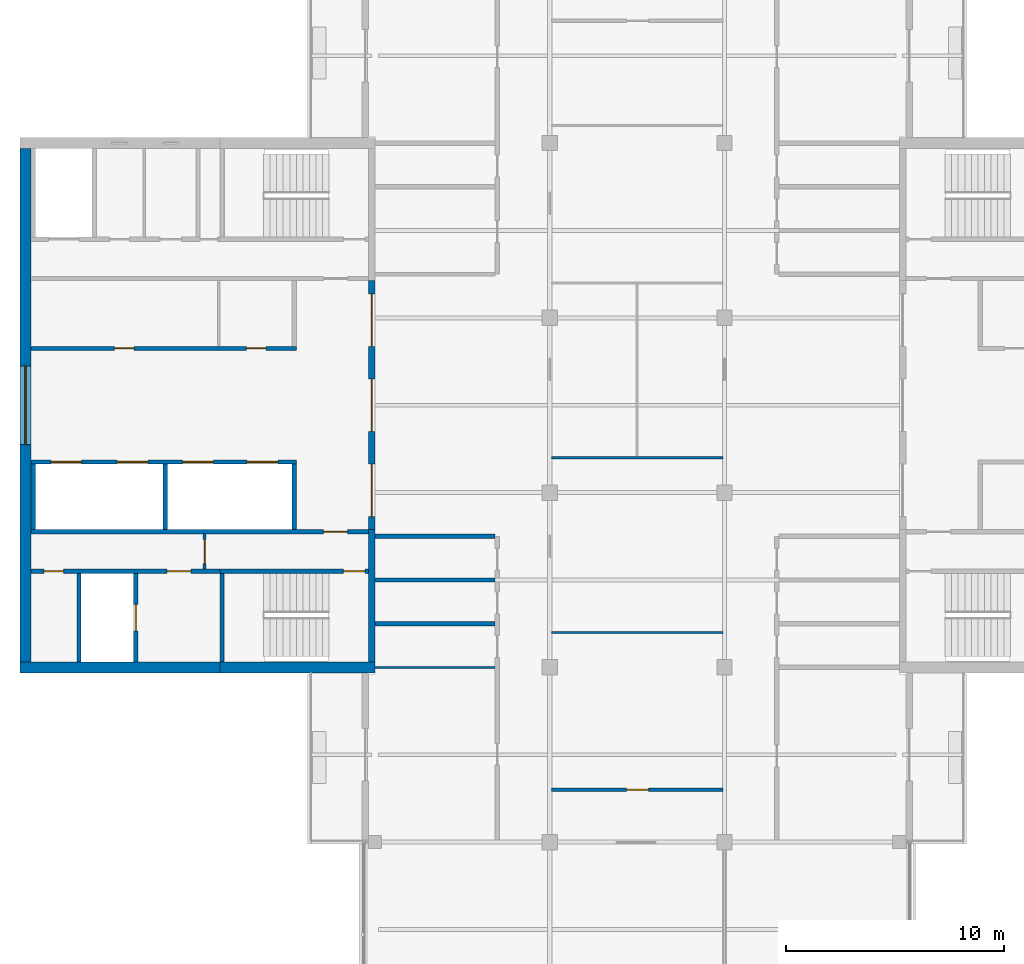
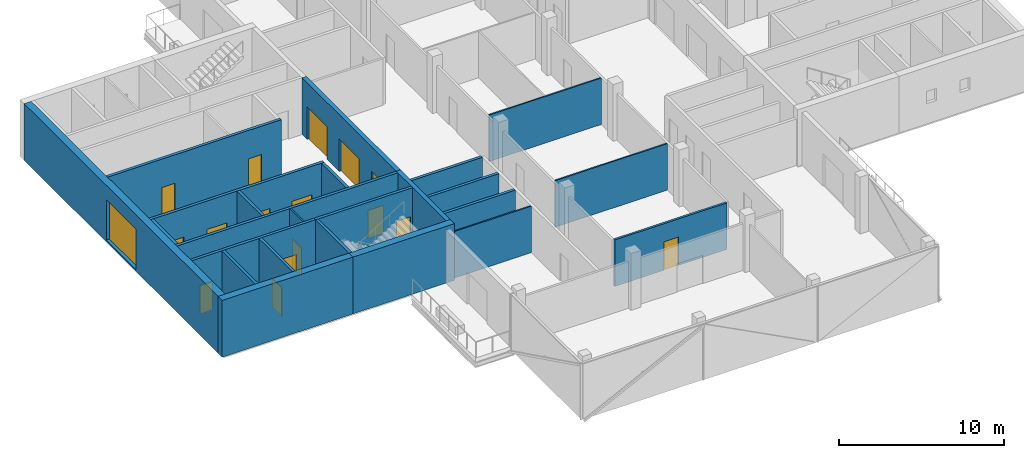
# One storey, part 5 of 12: 24 walls, 16 doors, 1 window, 17 openings.
"""IFC4 building model written with IfcOpenShell, lengths in metres."""

from ifc_helpers import new_model, si_unit, direction, frame, frame_2d, origin, place, context, subcontext, project, spatial, rectangle, extrude, material, layer, layer_set, constituent, constituent_set, type_object, element, fill, save


model = new_model("IFC4")

# Units and contexts
model_context = context("Model", 3, precision=1e-05, world=origin(), true_north=direction((0.0, 1.0)))
body_context = subcontext(model_context, "Body", "Model", "MODEL_VIEW")
ifc_project = project(units=[si_unit("LENGTHUNIT", "METRE"), si_unit("AREAUNIT", "SQUARE_METRE"), si_unit("VOLUMEUNIT", "CUBIC_METRE"), si_unit("PLANEANGLEUNIT", "RADIAN"), si_unit("MASSUNIT", "GRAM", prefix="KILO")], contexts=[model_context])

# Site, building, storey
site_placement = place(None, origin())
site = spatial("IfcSite", under=ifc_project, at=site_placement, CompositionType="ELEMENT")
building_placement = place(site_placement, origin())
building = spatial("IfcBuilding", under=site, at=building_placement, Name="Crosswind Convention Tower", CompositionType="ELEMENT")
storey_placement = place(building_placement, frame((0.0, 0.0, 245.10009765625)))
storey = spatial("IfcBuildingStorey", under=building, at=storey_placement, Name="L52", CompositionType="ELEMENT", Elevation=245.10009765625)

# Walls
ifc_material_1 = material(Name="Concrete blockwork", Category="masonry")
ifc_layer_1 = layer(ifc_material_1, 0.199951171875)
ifc_layer_set_1 = layer_set([ifc_layer_1], Name="COMPARTMENT WALL 200 BLOCKWORK")
wall_type_1 = type_object("IfcWallType", Name="COMPARTMENT WALL 200 BLOCKWORK", PredefinedType="SOLIDWALL", material=ifc_layer_set_1)
for number, where, z_axis, x_axis, name in (
    (1, (113.0, 90.0, 0.0), (0.0, 0.0, 1.0), (1.0, 0.0, 0.0), "Compartment wall WT42"),
    (2, (113.0, 92.0, 0.0), (0.0, 0.0, 1.0), (1.0, 0.0, 0.0), "Compartment wall WT42"),
    (3, (113.0, 94.0, 0.0), (0.0, 0.0, 1.0), (1.0, 0.0, 0.0), "Compartment wall WT42"),
):
    element("IfcWall", number, at=place(storey_placement, frame(where, z_axis=z_axis, x_axis=x_axis)), inside=storey, type_object=wall_type_1, Name=name, PredefinedType="SOLIDWALL", context=body_context, shape_type="SweptSolid", body=[
        extrude(rectangle(XDim=5.5, YDim=0.199951171875, at=frame_2d((2.75, 0.0))), origin(), (0.0, 0.0, 1.0), 3.442626953125),
    ])

# Wall, openings, doors
ifc_material_2 = material(Name="Concrete C50/60", Category="concrete")
ifc_layer_2 = layer(ifc_material_2, 0.300048828125)
ifc_layer_set_2 = layer_set([ifc_layer_2], Name="Concrete C50/60")
wall_type_2 = type_object("IfcWallType", Name="Concrete inner core wall 300", PredefinedType="SHEAR", material=ifc_layer_set_2)
wall_1_placement = place(storey_placement, frame((112.85009765625, 105.699951171875, 0.0), z_axis=(0.0, 0.0, 1.0), x_axis=(0.0, -1.0, 0.0)))
wall_1 = element("IfcWall", 4, at=wall_1_placement, inside=storey, type_object=wall_type_2, Name="Wall SCR W L52", PredefinedType="SHEAR", context=body_context, shape_type="SweptSolid", body=[
    extrude(rectangle(XDim=11.39990234375, YDim=0.300048828125, at=frame_2d((5.699951171875, 0.0))), origin(), (0.0, 0.0, 1.0), 4.199951171875),
])
opening_1_placement = place(wall_1_placement, frame((0.60009765625, 0.0, 0.0)))
opening_1 = element("IfcOpeningElement", 5, at=opening_1_placement, cuts=wall_1, Name="Opening D100", PredefinedType="OPENING", context=body_context, shape_type="SweptSolid", body=[
    extrude(rectangle(XDim=2.39990234375, YDim=2.39990234375, at=frame_2d((1.199951171875, 1.199951171875))), frame((0.0, 0.159912109375, 0.0), z_axis=(0.0, -1.0, 0.0), x_axis=(1.0, 0.0, 0.0)), (0.0, 0.0, 1.0), 0.320068359375),
])
opening_2_placement = place(wall_1_placement, frame((4.5, 0.0, 0.0)))
opening_2 = element("IfcOpeningElement", 6, at=opening_2_placement, cuts=wall_1, Name="Opening D100", PredefinedType="OPENING", context=body_context, shape_type="SweptSolid", body=[
    extrude(rectangle(XDim=2.39990234375, YDim=2.39990234375, at=frame_2d((1.199951171875, 1.199951171875))), frame((0.0, 0.159912109375, 0.0), z_axis=(0.0, -1.0, 0.0), x_axis=(1.0, 0.0, 0.0)), (0.0, 0.0, 1.0), 0.320068359375),
])
opening_3_placement = place(wall_1_placement, frame((8.39990234375, 0.0, 0.0)))
opening_3 = element("IfcOpeningElement", 7, at=opening_3_placement, cuts=wall_1, Name="Opening D100", PredefinedType="OPENING", context=body_context, shape_type="SweptSolid", body=[
    extrude(rectangle(XDim=2.39990234375, YDim=2.39990234375, at=frame_2d((1.199951171875, 1.199951171875))), frame((0.0, 0.159912109375, 0.0), z_axis=(0.0, -1.0, 0.0), x_axis=(1.0, 0.0, 0.0)), (0.0, 0.0, 1.0), 0.320068359375),
])
ifc_material_3 = material(Name="Steel fire door with glazed vision panels", Category="steel")
door_type_1 = type_object("IfcDoorType", Name="Fire-rated double door 2400x2400", OperationType="DOUBLE_DOOR_SINGLE_SWING", PredefinedType="DOOR", material=ifc_material_3)
door_1_placement = place(opening_1_placement, origin())
door_1 = element("IfcDoor", 8, at=door_1_placement, inside=storey, type_object=door_type_1, Name="Lobby door 1 L52", ObjectType="D100", OperationType="DOUBLE_DOOR_SINGLE_SWING", OverallHeight=2.39990234375, OverallWidth=2.39990234375, PredefinedType="DOOR", context=body_context, shape_type="SweptSolid", body=[
    extrude(rectangle(XDim=2.39990234375, YDim=2.39990234375, at=frame_2d((1.199951171875, 1.199951171875))), frame((0.0, 0.02490234375, 0.0), z_axis=(0.0, -1.0, 0.0), x_axis=(1.0, 0.0, 0.0)), (0.0, 0.0, 1.0), 0.050048828125),
])
fill(opening_1, door_1)
door_2_placement = place(opening_2_placement, origin())
door_2 = element("IfcDoor", 9, at=door_2_placement, inside=storey, type_object=door_type_1, Name="Lobby door 2 L52", ObjectType="D100", OperationType="DOUBLE_DOOR_SINGLE_SWING", OverallHeight=2.39990234375, OverallWidth=2.39990234375, PredefinedType="DOOR", context=body_context, shape_type="SweptSolid", body=[
    extrude(rectangle(XDim=2.39990234375, YDim=2.39990234375, at=frame_2d((1.199951171875, 1.199951171875))), frame((0.0, 0.02490234375, 0.0), z_axis=(0.0, -1.0, 0.0), x_axis=(1.0, 0.0, 0.0)), (0.0, 0.0, 1.0), 0.050048828125),
])
fill(opening_2, door_2)
door_3_placement = place(opening_3_placement, origin())
door_3 = element("IfcDoor", 10, at=door_3_placement, inside=storey, type_object=door_type_1, Name="Lobby door 3 L52", ObjectType="D100", OperationType="DOUBLE_DOOR_SINGLE_SWING", OverallHeight=2.39990234375, OverallWidth=2.39990234375, PredefinedType="DOOR", context=body_context, shape_type="SweptSolid", body=[
    extrude(rectangle(XDim=2.39990234375, YDim=2.39990234375, at=frame_2d((1.199951171875, 1.199951171875))), frame((0.0, 0.02490234375, 0.0), z_axis=(0.0, -1.0, 0.0), x_axis=(1.0, 0.0, 0.0)), (0.0, 0.0, 1.0), 0.050048828125),
])
fill(opening_3, door_3)

# Walls
wall_2_placement = place(storey_placement, frame((112.85009765625, 94.300048828125, 0.0), z_axis=(0.0, 0.0, 1.0), x_axis=(0.0, -1.0, 0.0)))
element("IfcWall", 11, at=wall_2_placement, inside=storey, type_object=wall_type_2, Name="Wall EP W L52", PredefinedType="SHEAR", context=body_context, shape_type="SweptSolid", body=[
    extrude(rectangle(XDim=6.050048828125, YDim=0.300048828125, at=frame_2d((3.02490234375, 0.0))), origin(), (0.0, 0.0, 1.0), 4.199951171875),
])
ifc_layer_3 = layer(ifc_material_2, 0.199951171875)
ifc_layer_set_3 = layer_set([ifc_layer_3], Name="Concrete C50/60")
wall_type_3 = type_object("IfcWallType", Name="Concrete shaft and stair wall 200", PredefinedType="SHEAR", material=ifc_layer_set_3)
for number, where, z_axis, x_axis, name in (
    (12, (109.300048828125, 97.300048828125, 0.0), (0.0, 0.0, 1.0), (0.0, -1.0, 0.0), "Wall RPEND W L52"),
    (13, (103.39990234375, 97.300048828125, 0.0), (0.0, 0.0, 1.0), (0.0, -1.0, 0.0), "Wall RPSEP W L52"),
    (14, (97.35009765625, 97.300048828125, 0.0), (0.0, 0.0, 1.0), (0.0, -1.0, 0.0), "Wall RPEAST W L52"),
):
    element("IfcWall", number, at=place(storey_placement, frame(where, z_axis=z_axis, x_axis=x_axis)), inside=storey, type_object=wall_type_3, Name=name, PredefinedType="SHEAR", context=body_context, shape_type="SweptSolid", body=[
        extrude(rectangle(XDim=3.0, YDim=0.199951171875, at=frame_2d((1.5, 0.0))), origin(), (0.0, 0.0, 1.0), 4.199951171875),
    ])

# Wall, openings, doors
wall_3_placement = place(storey_placement, frame((109.39990234375, 97.39990234375, 0.0), z_axis=(0.0, 0.0, 1.0), x_axis=(-1.0, 0.0, 0.0)))
wall_3 = element("IfcWall", 15, at=wall_3_placement, inside=storey, type_object=wall_type_3, Name="Wall RPFRONT W L52", PredefinedType="SHEAR", context=body_context, shape_type="SweptSolid", body=[
    extrude(rectangle(XDim=12.14990234375, YDim=0.199951171875, at=frame_2d((6.074951171875, 0.0))), origin(), (0.0, 0.0, 1.0), 4.199951171875),
])
opening_4_placement = place(wall_3_placement, frame((0.85009765625, 0.0, 0.0)))
opening_4 = element("IfcOpeningElement", 16, at=opening_4_placement, cuts=wall_3, Name="Opening LD2", PredefinedType="OPENING", context=body_context, shape_type="SweptSolid", body=[
    extrude(rectangle(XDim=1.39990234375, YDim=2.10009765625, at=frame_2d((0.699951171875, 1.050048828125))), frame((0.0, 0.10986328125, 0.0), z_axis=(0.0, -1.0, 0.0), x_axis=(1.0, 0.0, 0.0)), (0.0, 0.0, 1.0), 0.219970703125),
])
opening_5_placement = place(wall_3_placement, frame((3.800048828125, 0.0, 0.0)))
opening_5 = element("IfcOpeningElement", 17, at=opening_5_placement, cuts=wall_3, Name="Opening LD2", PredefinedType="OPENING", context=body_context, shape_type="SweptSolid", body=[
    extrude(rectangle(XDim=1.39990234375, YDim=2.10009765625, at=frame_2d((0.699951171875, 1.050048828125))), frame((0.0, 0.10986328125, 0.0), z_axis=(0.0, -1.0, 0.0), x_axis=(1.0, 0.0, 0.0)), (0.0, 0.0, 1.0), 0.219970703125),
])
opening_6_placement = place(wall_3_placement, frame((6.800048828125, 0.0, 0.0)))
opening_6 = element("IfcOpeningElement", 18, at=opening_6_placement, cuts=wall_3, Name="Opening LD2", PredefinedType="OPENING", context=body_context, shape_type="SweptSolid", body=[
    extrude(rectangle(XDim=1.39990234375, YDim=2.10009765625, at=frame_2d((0.699951171875, 1.050048828125))), frame((0.0, 0.10986328125, 0.0), z_axis=(0.0, -1.0, 0.0), x_axis=(1.0, 0.0, 0.0)), (0.0, 0.0, 1.0), 0.219970703125),
])
opening_7_placement = place(wall_3_placement, frame((9.824951171875, 0.0, 0.0)))
opening_7 = element("IfcOpeningElement", 19, at=opening_7_placement, cuts=wall_3, Name="Opening LD2", PredefinedType="OPENING", context=body_context, shape_type="SweptSolid", body=[
    extrude(rectangle(XDim=1.39990234375, YDim=2.10009765625, at=frame_2d((0.699951171875, 1.050048828125))), frame((0.0, 0.10986328125, 0.0), z_axis=(0.0, -1.0, 0.0), x_axis=(1.0, 0.0, 0.0)), (0.0, 0.0, 1.0), 0.219970703125),
])
ifc_material_4 = material(Name="Stainless steel", Category="steel")
door_type_2 = type_object("IfcDoorType", Name="Lift landing door 1400x2100", OperationType="DOUBLE_DOOR_SLIDING", PredefinedType="DOOR", material=ifc_material_4)
door_4_placement = place(opening_4_placement, origin())
door_4 = element("IfcDoor", 20, at=door_4_placement, inside=storey, type_object=door_type_2, Name="Landing door HR1 L52", ObjectType="LD2", OperationType="DOUBLE_DOOR_SLIDING", OverallHeight=2.10009765625, OverallWidth=1.39990234375, PredefinedType="DOOR", context=body_context, shape_type="SweptSolid", body=[
    extrude(rectangle(XDim=1.39990234375, YDim=2.10009765625, at=frame_2d((0.699951171875, 1.050048828125))), frame((0.0, 0.02490234375, 0.0), z_axis=(0.0, -1.0, 0.0), x_axis=(1.0, 0.0, 0.0)), (0.0, 0.0, 1.0), 0.050048828125),
])
fill(opening_4, door_4)
door_5_placement = place(opening_5_placement, origin())
door_5 = element("IfcDoor", 21, at=door_5_placement, inside=storey, type_object=door_type_2, Name="Landing door HR2 L52", ObjectType="LD2", OperationType="DOUBLE_DOOR_SLIDING", OverallHeight=2.10009765625, OverallWidth=1.39990234375, PredefinedType="DOOR", context=body_context, shape_type="SweptSolid", body=[
    extrude(rectangle(XDim=1.39990234375, YDim=2.10009765625, at=frame_2d((0.699951171875, 1.050048828125))), frame((0.0, 0.02490234375, 0.0), z_axis=(0.0, -1.0, 0.0), x_axis=(1.0, 0.0, 0.0)), (0.0, 0.0, 1.0), 0.050048828125),
])
fill(opening_5, door_5)
door_6_placement = place(opening_6_placement, origin())
door_6 = element("IfcDoor", 22, at=door_6_placement, inside=storey, type_object=door_type_2, Name="Landing door HR3 L52", ObjectType="LD2", OperationType="DOUBLE_DOOR_SLIDING", OverallHeight=2.10009765625, OverallWidth=1.39990234375, PredefinedType="DOOR", context=body_context, shape_type="SweptSolid", body=[
    extrude(rectangle(XDim=1.39990234375, YDim=2.10009765625, at=frame_2d((0.699951171875, 1.050048828125))), frame((0.0, 0.02490234375, 0.0), z_axis=(0.0, -1.0, 0.0), x_axis=(1.0, 0.0, 0.0)), (0.0, 0.0, 1.0), 0.050048828125),
])
fill(opening_6, door_6)
door_7_placement = place(opening_7_placement, origin())
door_7 = element("IfcDoor", 23, at=door_7_placement, inside=storey, type_object=door_type_2, Name="Landing door HR4 L52", ObjectType="LD2", OperationType="DOUBLE_DOOR_SLIDING", OverallHeight=2.10009765625, OverallWidth=1.39990234375, PredefinedType="DOOR", context=body_context, shape_type="SweptSolid", body=[
    extrude(rectangle(XDim=1.39990234375, YDim=2.10009765625, at=frame_2d((0.699951171875, 1.050048828125))), frame((0.0, 0.02490234375, 0.0), z_axis=(0.0, -1.0, 0.0), x_axis=(1.0, 0.0, 0.0)), (0.0, 0.0, 1.0), 0.050048828125),
])
fill(opening_7, door_7)

wall_4_placement = place(storey_placement, frame((109.39990234375, 102.60009765625, 0.0), z_axis=(0.0, 0.0, 1.0), x_axis=(-1.0, 0.0, 0.0)))
wall_4 = element("IfcWall", 24, at=wall_4_placement, inside=storey, type_object=wall_type_3, Name="Wall RMFRONT W L52", PredefinedType="SHEAR", context=body_context, shape_type="SweptSolid", body=[
    extrude(rectangle(XDim=12.14990234375, YDim=0.199951171875, at=frame_2d((6.074951171875, 0.0))), origin(), (0.0, 0.0, 1.0), 4.199951171875),
])
opening_8_placement = place(wall_4_placement, frame((1.391845703125, 0.0, 0.0)))
opening_8 = element("IfcOpeningElement", 25, at=opening_8_placement, cuts=wall_4, Name="Opening D106", PredefinedType="OPENING", context=body_context, shape_type="SweptSolid", body=[
    extrude(rectangle(XDim=0.89990234375, YDim=2.10009765625, at=frame_2d((0.449951171875, 1.050048828125))), frame((0.0, 0.10986328125, 0.0), z_axis=(0.0, -1.0, 0.0), x_axis=(1.0, 0.0, 0.0)), (0.0, 0.0, 1.0), 0.219970703125),
])
opening_9_placement = place(wall_4_placement, frame((7.42919921875, 0.0, 0.0)))
opening_9 = element("IfcOpeningElement", 26, at=opening_9_placement, cuts=wall_4, Name="Opening D106", PredefinedType="OPENING", context=body_context, shape_type="SweptSolid", body=[
    extrude(rectangle(XDim=0.89990234375, YDim=2.10009765625, at=frame_2d((0.449951171875, 1.050048828125))), frame((0.0, 0.10986328125, 0.0), z_axis=(0.0, -1.0, 0.0), x_axis=(1.0, 0.0, 0.0)), (0.0, 0.0, 1.0), 0.219970703125),
])
ifc_material_5 = material(Name="Timber door", Category="wood")
door_type_3 = type_object("IfcDoorType", Name="Single leaf door 900x2100", OperationType="NOTDEFINED", PredefinedType="DOOR", material=ifc_material_5)
door_8_placement = place(opening_8_placement, frame((0.89990234375, 0.0, 0.0), z_axis=(0.0, 0.0, 1.0), x_axis=(-1.0, 0.0, 0.0)))
door_8 = element("IfcDoor", 27, at=door_8_placement, inside=storey, type_object=door_type_3, Name="Door to storeroom L52", ObjectType="D106", OperationType="SINGLE_SWING_LEFT", OverallHeight=2.10009765625, OverallWidth=0.89990234375, PredefinedType="DOOR", context=body_context, shape_type="SweptSolid", body=[
    extrude(rectangle(XDim=0.89990234375, YDim=2.10009765625, at=frame_2d((0.449951171875, 1.050048828125))), frame((0.0, 0.02490234375, 0.0), z_axis=(0.0, -1.0, 0.0), x_axis=(1.0, 0.0, 0.0)), (0.0, 0.0, 1.0), 0.050048828125),
])
fill(opening_8, door_8)
door_9_placement = place(opening_9_placement, frame((0.89990234375, 0.0, 0.0), z_axis=(0.0, 0.0, 1.0), x_axis=(-1.0, 0.0, 0.0)))
door_9 = element("IfcDoor", 28, at=door_9_placement, inside=storey, type_object=door_type_3, Name="Door to tenant services room L52", ObjectType="D106", OperationType="SINGLE_SWING_LEFT", OverallHeight=2.10009765625, OverallWidth=0.89990234375, PredefinedType="DOOR", context=body_context, shape_type="SweptSolid", body=[
    extrude(rectangle(XDim=0.89990234375, YDim=2.10009765625, at=frame_2d((0.449951171875, 1.050048828125))), frame((0.0, 0.02490234375, 0.0), z_axis=(0.0, -1.0, 0.0), x_axis=(1.0, 0.0, 0.0)), (0.0, 0.0, 1.0), 0.050048828125),
])
fill(opening_9, door_9)

# Wall, opening, door
wall_5_placement = place(storey_placement, frame((112.699951171875, 94.199951171875, 0.0), z_axis=(0.0, 0.0, 1.0), x_axis=(-1.0, 0.0, 0.0)))
wall_5 = element("IfcWall", 29, at=wall_5_placement, inside=storey, type_object=wall_type_3, Name="Wall HP W L52", PredefinedType="SHEAR", context=body_context, shape_type="SweptSolid", body=[
    extrude(rectangle(XDim=15.449951171875, YDim=0.199951171875, at=frame_2d((7.72509765625, 0.0))), origin(), (0.0, 0.0, 1.0), 4.199951171875),
])
opening_10_placement = place(wall_5_placement, frame((0.949951171875, 0.0, 0.0)))
opening_10 = element("IfcOpeningElement", 30, at=opening_10_placement, cuts=wall_5, Name="Opening D104", PredefinedType="OPENING", context=body_context, shape_type="SweptSolid", body=[
    extrude(rectangle(XDim=1.10009765625, YDim=2.10009765625, at=frame_2d((0.550048828125, 1.050048828125))), frame((0.0, 0.10986328125, 0.0), z_axis=(0.0, -1.0, 0.0), x_axis=(1.0, 0.0, 0.0)), (0.0, 0.0, 1.0), 0.219970703125),
])
ifc_material_6 = material(Name="Steel fire door", Category="steel")
door_type_4 = type_object("IfcDoorType", Name="Fire-rated single door 1100x2100", OperationType="NOTDEFINED", PredefinedType="DOOR", material=ifc_material_6)
door_10_placement = place(opening_10_placement, origin())
door_10 = element("IfcDoor", 31, at=door_10_placement, inside=storey, type_object=door_type_4, Name="Corridor door L52", ObjectType="D104", OperationType="SINGLE_SWING_LEFT", OverallHeight=2.10009765625, OverallWidth=1.10009765625, PredefinedType="DOOR", context=body_context, shape_type="SweptSolid", body=[
    extrude(rectangle(XDim=1.10009765625, YDim=2.10009765625, at=frame_2d((0.550048828125, 1.050048828125))), frame((0.0, 0.02490234375, 0.0), z_axis=(0.0, -1.0, 0.0), x_axis=(1.0, 0.0, 0.0)), (0.0, 0.0, 1.0), 0.050048828125),
])
fill(opening_10, door_10)

# Wall
wall_6_placement = place(storey_placement, frame((106.0, 92.300048828125, 0.0), z_axis=(0.0, 0.0, 1.0), x_axis=(0.0, -1.0, 0.0)))
element("IfcWall", 32, at=wall_6_placement, inside=storey, type_object=wall_type_3, Name="Wall PSE W L52", PredefinedType="SHEAR", context=body_context, shape_type="SweptSolid", body=[
    extrude(rectangle(XDim=4.050048828125, YDim=0.199951171875, at=frame_2d((2.02490234375, 0.0))), origin(), (0.0, 0.0, 1.0), 4.199951171875),
])

# Wall, opening, door
wall_7_placement = place(storey_placement, frame((102.050048828125, 92.300048828125, 0.0), z_axis=(0.0, 0.0, 1.0), x_axis=(0.0, -1.0, 0.0)))
wall_7 = element("IfcWall", 33, at=wall_7_placement, inside=storey, type_object=wall_type_3, Name="Wall PFLW W L52", PredefinedType="SHEAR", context=body_context, shape_type="SweptSolid", body=[
    extrude(rectangle(XDim=4.050048828125, YDim=0.199951171875, at=frame_2d((2.02490234375, 0.0))), origin(), (0.0, 0.0, 1.0), 4.199951171875),
])
opening_11_placement = place(wall_7_placement, frame((1.425048828125, 0.0, 0.0)))
opening_11 = element("IfcOpeningElement", 34, at=opening_11_placement, cuts=wall_7, Name="Opening LD1", PredefinedType="OPENING", context=body_context, shape_type="SweptSolid", body=[
    extrude(rectangle(XDim=1.199951171875, YDim=2.10009765625, at=frame_2d((0.60009765625, 1.050048828125))), frame((0.0, 0.10986328125, 0.0), z_axis=(0.0, -1.0, 0.0), x_axis=(1.0, 0.0, 0.0)), (0.0, 0.0, 1.0), 0.219970703125),
])
door_type_5 = type_object("IfcDoorType", Name="Lift landing door 1200x2100", OperationType="DOUBLE_DOOR_SLIDING", PredefinedType="DOOR", material=ifc_material_4)
door_11_placement = place(opening_11_placement, origin())
door_11 = element("IfcDoor", 35, at=door_11_placement, inside=storey, type_object=door_type_5, Name="Landing door FF2 L52", ObjectType="LD1", OperationType="DOUBLE_DOOR_SLIDING", OverallHeight=2.10009765625, OverallWidth=1.199951171875, PredefinedType="DOOR", context=body_context, shape_type="SweptSolid", body=[
    extrude(rectangle(XDim=1.199951171875, YDim=2.10009765625, at=frame_2d((0.60009765625, 1.050048828125))), frame((0.0, 0.02490234375, 0.0), z_axis=(0.0, -1.0, 0.0), x_axis=(1.0, 0.0, 0.0)), (0.0, 0.0, 1.0), 0.050048828125),
])
fill(opening_11, door_11)

# Wall
wall_8_placement = place(storey_placement, frame((99.449951171875, 92.300048828125, 0.0), z_axis=(0.0, 0.0, 1.0), x_axis=(0.0, -1.0, 0.0)))
element("IfcWall", 36, at=wall_8_placement, inside=storey, type_object=wall_type_3, Name="Wall PFSE W L52", PredefinedType="SHEAR", context=body_context, shape_type="SweptSolid", body=[
    extrude(rectangle(XDim=4.050048828125, YDim=0.199951171875, at=frame_2d((2.02490234375, 0.0))), origin(), (0.0, 0.0, 1.0), 4.199951171875),
])

# Wall, opening, door
wall_9_placement = place(storey_placement, frame((112.699951171875, 92.39990234375, 0.0), z_axis=(0.0, 0.0, 1.0), x_axis=(-1.0, 0.0, 0.0)))
wall_9 = element("IfcWall", 37, at=wall_9_placement, inside=storey, type_object=wall_type_3, Name="Wall PCW W L52", PredefinedType="SHEAR", context=body_context, shape_type="SweptSolid", body=[
    extrude(rectangle(XDim=6.800048828125, YDim=0.199951171875, at=frame_2d((3.39990234375, 0.0))), origin(), (0.0, 0.0, 1.0), 4.199951171875),
])
opening_12_placement = place(wall_9_placement, frame((0.14990234375, 0.0, 0.0)))
opening_12 = element("IfcOpeningElement", 38, at=opening_12_placement, cuts=wall_9, Name="Opening D103", PredefinedType="OPENING", context=body_context, shape_type="SweptSolid", body=[
    extrude(rectangle(XDim=1.0, YDim=2.10009765625, at=frame_2d((0.5, 1.050048828125))), frame((0.0, 0.10986328125, 0.0), z_axis=(0.0, -1.0, 0.0), x_axis=(1.0, 0.0, 0.0)), (0.0, 0.0, 1.0), 0.219970703125),
])
door_type_6 = type_object("IfcDoorType", Name="Fire-rated single door 1000x2100", OperationType="NOTDEFINED", PredefinedType="DOOR", material=ifc_material_6)
door_12_placement = place(opening_12_placement, origin())
door_12 = element("IfcDoor", 39, at=door_12_placement, inside=storey, type_object=door_type_6, Name="Stair ST3 door L52", ObjectType="D103", OperationType="SINGLE_SWING_LEFT", OverallHeight=2.10009765625, OverallWidth=1.0, PredefinedType="DOOR", context=body_context, shape_type="SweptSolid", body=[
    extrude(rectangle(XDim=1.0, YDim=2.10009765625, at=frame_2d((0.5, 1.050048828125))), frame((0.0, 0.02490234375, 0.0), z_axis=(0.0, -1.0, 0.0), x_axis=(1.0, 0.0, 0.0)), (0.0, 0.0, 1.0), 0.050048828125),
])
fill(opening_12, door_12)

# Wall, openings, doors
wall_10_placement = place(storey_placement, frame((105.89990234375, 92.39990234375, 0.0), z_axis=(0.0, 0.0, 1.0), x_axis=(-1.0, 0.0, 0.0)))
wall_10 = element("IfcWall", 40, at=wall_10_placement, inside=storey, type_object=wall_type_3, Name="Wall PCX W L52", PredefinedType="SHEAR", context=body_context, shape_type="SweptSolid", body=[
    extrude(rectangle(XDim=8.64990234375, YDim=0.199951171875, at=frame_2d((4.324951171875, 0.0))), origin(), (0.0, 0.0, 1.0), 4.199951171875),
])
opening_13_placement = place(wall_10_placement, frame((1.324951171875, 0.0, 0.0)))
opening_13 = element("IfcOpeningElement", 41, at=opening_13_placement, cuts=wall_10, Name="Opening D104", PredefinedType="OPENING", context=body_context, shape_type="SweptSolid", body=[
    extrude(rectangle(XDim=1.10009765625, YDim=2.10009765625, at=frame_2d((0.550048828125, 1.050048828125))), frame((0.0, 0.10986328125, 0.0), z_axis=(0.0, -1.0, 0.0), x_axis=(1.0, 0.0, 0.0)), (0.0, 0.0, 1.0), 0.219970703125),
])
opening_14_placement = place(wall_10_placement, frame((7.14990234375, 0.0, 0.0)))
opening_14 = element("IfcOpeningElement", 42, at=opening_14_placement, cuts=wall_10, Name="Opening D106", PredefinedType="OPENING", context=body_context, shape_type="SweptSolid", body=[
    extrude(rectangle(XDim=0.89990234375, YDim=2.10009765625, at=frame_2d((0.449951171875, 1.050048828125))), frame((0.0, 0.10986328125, 0.0), z_axis=(0.0, -1.0, 0.0), x_axis=(1.0, 0.0, 0.0)), (0.0, 0.0, 1.0), 0.219970703125),
])
door_13_placement = place(opening_13_placement, origin())
door_13 = element("IfcDoor", 43, at=door_13_placement, inside=storey, type_object=door_type_4, Name="Fire-fighting lobby FF2 door L52", ObjectType="D104", OperationType="SINGLE_SWING_RIGHT", OverallHeight=2.10009765625, OverallWidth=1.10009765625, PredefinedType="DOOR", context=body_context, shape_type="SweptSolid", body=[
    extrude(rectangle(XDim=1.10009765625, YDim=2.10009765625, at=frame_2d((0.550048828125, 1.050048828125))), frame((0.0, 0.02490234375, 0.0), z_axis=(0.0, -1.0, 0.0), x_axis=(1.0, 0.0, 0.0)), (0.0, 0.0, 1.0), 0.050048828125),
])
fill(opening_13, door_13)
door_14_placement = place(opening_14_placement, origin())
door_14 = element("IfcDoor", 44, at=door_14_placement, inside=storey, type_object=door_type_3, Name="Door to electrical room L52", ObjectType="D106", OperationType="SINGLE_SWING_RIGHT", OverallHeight=2.10009765625, OverallWidth=0.89990234375, PredefinedType="DOOR", context=body_context, shape_type="SweptSolid", body=[
    extrude(rectangle(XDim=0.89990234375, YDim=2.10009765625, at=frame_2d((0.449951171875, 1.050048828125))), frame((0.0, 0.02490234375, 0.0), z_axis=(0.0, -1.0, 0.0), x_axis=(1.0, 0.0, 0.0)), (0.0, 0.0, 1.0), 0.050048828125),
])
fill(opening_14, door_14)

# Wall, opening, door
ifc_material_7 = material(Name="Gypsum plasterboard partition", Category="gypsum")
ifc_layer_4 = layer(ifc_material_7, 0.125)
ifc_layer_set_4 = layer_set([ifc_layer_4], Name="Drywall partition wall 125")
wall_type_4 = type_object("IfcWallType", Name="Drywall partition wall 125", PredefinedType="PARTITIONING", material=ifc_layer_set_4)
wall_11_placement = place(storey_placement, frame((105.199951171875, 94.10009765625, 0.0), z_axis=(0.0, 0.0, 1.0), x_axis=(0.0, -1.0, 0.0)))
wall_11 = element("IfcWall", 45, at=wall_11_placement, inside=storey, type_object=wall_type_4, Name="Wall PXC1 W L52", PredefinedType="PARTITIONING", context=body_context, shape_type="SweptSolid", body=[
    extrude(rectangle(XDim=1.60009765625, YDim=0.125, at=frame_2d((0.800048828125, 0.0))), origin(), (0.0, 0.0, 1.0), 4.199951171875),
])
opening_15_placement = place(wall_11_placement, frame((0.25, 0.0, 0.0)))
opening_15 = element("IfcOpeningElement", 46, at=opening_15_placement, cuts=wall_11, Name="Opening D104", PredefinedType="OPENING", context=body_context, shape_type="SweptSolid", body=[
    extrude(rectangle(XDim=1.10009765625, YDim=2.10009765625, at=frame_2d((0.550048828125, 1.050048828125))), frame((0.0, 0.072509765625, 0.0), z_axis=(0.0, -1.0, 0.0), x_axis=(1.0, 0.0, 0.0)), (0.0, 0.0, 1.0), 0.14501953125),
])
door_15_placement = place(opening_15_placement, origin())
door_15 = element("IfcDoor", 47, at=door_15_placement, inside=storey, type_object=door_type_4, Name="Corridor smoke door L52", ObjectType="D104", OperationType="SINGLE_SWING_RIGHT", OverallHeight=2.10009765625, OverallWidth=1.10009765625, PredefinedType="DOOR", context=body_context, shape_type="SweptSolid", body=[
    extrude(rectangle(XDim=1.10009765625, YDim=2.10009765625, at=frame_2d((0.550048828125, 1.050048828125))), frame((0.0, 0.02490234375, 0.0), z_axis=(0.0, -1.0, 0.0), x_axis=(1.0, 0.0, 0.0)), (0.0, 0.0, 1.0), 0.050048828125),
])
fill(opening_15, door_15)

# Walls
ifc_material_8 = material(Name="Plasterboard partition", Category="gypsum")
ifc_layer_5 = layer(ifc_material_8, 0.10009765625)
ifc_layer_set_5 = layer_set([ifc_layer_5], Name="PARTITION 100 METAL STUD")
wall_type_5 = type_object("IfcWallType", Name="PARTITION 100 METAL STUD", PredefinedType="PARTITIONING", material=ifc_layer_set_5)
wall_12_placement = place(storey_placement, frame((113.0, 88.0, 0.0), z_axis=(0.0, 0.0, 1.0), x_axis=(1.0, 0.0, 0.0)))
element("IfcWall", 48, at=wall_12_placement, inside=storey, type_object=wall_type_5, Name="Partition wall WT40", PredefinedType="PARTITIONING", context=body_context, shape_type="SweptSolid", body=[
    extrude(rectangle(XDim=5.5, YDim=0.10009765625, at=frame_2d((2.75, 0.0))), origin(), (0.0, 0.0, 1.0), 3.442626953125),
])
for number, where, z_axis, x_axis, name in (
    (49, (121.074951171875, 89.60009765625, 0.0), (0.0, 0.0, 1.0), (1.0, 0.0, 0.0), "Partition wall WT40"),
    (50, (121.074951171875, 97.60009765625, 0.0), (0.0, 0.0, 1.0), (1.0, 0.0, 0.0), "Partition wall WT40"),
):
    element("IfcWall", number, at=place(storey_placement, frame(where, z_axis=z_axis, x_axis=x_axis)), inside=storey, type_object=wall_type_5, Name=name, PredefinedType="PARTITIONING", context=body_context, shape_type="SweptSolid", body=[
        extrude(rectangle(XDim=7.85009765625, YDim=0.10009765625, at=frame_2d((3.925048828125, 0.0))), origin(), (0.0, 0.0, 1.0), 3.442626953125),
    ])

# Wall, opening, door
ifc_material_9 = material(Name="Fire-board partition with mineral wool", Category="gypsum")
ifc_layer_6 = layer(ifc_material_9, 0.14990234375)
ifc_layer_set_6 = layer_set([ifc_layer_6], Name="TENANCY WALL 150 TWO-HOUR BOARD")
wall_type_6 = type_object("IfcWallType", Name="TENANCY WALL 150 TWO-HOUR BOARD", PredefinedType="PARTITIONING", material=ifc_layer_set_6)
wall_13_placement = place(storey_placement, frame((121.074951171875, 82.39990234375, 0.0), z_axis=(0.0, 0.0, 1.0), x_axis=(1.0, 0.0, 0.0)))
wall_13 = element("IfcWall", 51, at=wall_13_placement, inside=storey, type_object=wall_type_6, Name="Tenancy wall WT41", PredefinedType="PARTITIONING", context=body_context, shape_type="SweptSolid", body=[
    extrude(rectangle(XDim=7.85009765625, YDim=0.14990234375, at=frame_2d((3.925048828125, 0.0))), origin(), (0.0, 0.0, 1.0), 3.442626953125),
])
opening_16_placement = place(wall_13_placement, frame((3.449951171875, 0.0, 0.0)))
opening_16 = element("IfcOpeningElement", 52, at=opening_16_placement, cuts=wall_13, Name="Opening L52-67", PredefinedType="OPENING", context=body_context, shape_type="SweptSolid", body=[
    extrude(rectangle(XDim=1.0, YDim=2.10009765625, at=frame_2d((0.5, 1.050048828125))), frame((0.0, 0.0849609375, 0.0), z_axis=(0.0, -1.0, 0.0), x_axis=(1.0, 0.0, 0.0)), (0.0, 0.0, 1.0), 0.169921875),
])
ifc_material_10 = material(Name="Timber fire door", Category="wood")
door_type_7 = type_object("IfcDoorType", Name="TENANCY ENTRANCE DOOR 1000X2100 FD30S", OperationType="NOTDEFINED", PredefinedType="DOOR", material=ifc_material_10)
door_16_placement = place(opening_16_placement, origin())
door_16 = element("IfcDoor", 53, at=door_16_placement, inside=storey, type_object=door_type_7, Name="Door L52-67", ObjectType="D41", OperationType="SINGLE_SWING_RIGHT", OverallHeight=2.10009765625, OverallWidth=1.0, PredefinedType="DOOR", context=body_context, shape_type="SweptSolid", body=[
    extrude(rectangle(XDim=1.0, YDim=2.10009765625, at=frame_2d((0.5, 1.050048828125))), frame((0.0, 0.02490234375, 0.0), z_axis=(0.0, -1.0, 0.0), x_axis=(1.0, 0.0, 0.0)), (0.0, 0.0, 1.0), 0.050048828125),
])
fill(opening_16, door_16)

# Walls
ifc_material_11 = material(Name="Concrete C60/75", Category="concrete")
ifc_constituent_1 = constituent(ifc_material_11, Name="Structure")
ifc_material_12 = material(Name="Terracotta rainscreen", Category="ceramic")
ifc_constituent_2 = constituent(ifc_material_12, Name="Facing")
ifc_constituent_set = constituent_set(constituents=[ifc_constituent_1, ifc_constituent_2], Name="Concrete C60/75, Terracotta rainscreen")
wall_type_7 = type_object("IfcWallType", Name="Terracotta rainscreen on concrete core wall 500", PredefinedType="SHEAR", material=ifc_constituent_set)
wall_14_placement = place(storey_placement, frame((113.0, 88.0, 0.0), z_axis=(0.0, 0.0, 1.0), x_axis=(-1.0, 0.0, 0.0)))
element("IfcWall", 54, at=wall_14_placement, inside=storey, type_object=wall_type_7, Name="Wall N1 W L52", PredefinedType="SHEAR", context=body_context, shape_type="SweptSolid", body=[
    extrude(rectangle(XDim=7.10009765625, YDim=0.5, at=frame_2d((3.550048828125, 0.0))), origin(), (0.0, 0.0, 1.0), 4.199951171875),
])
wall_15_placement = place(storey_placement, frame((105.89990234375, 88.0, 0.0), z_axis=(0.0, 0.0, 1.0), x_axis=(-1.0, 0.0, 0.0)))
element("IfcWall", 55, at=wall_15_placement, inside=storey, type_object=wall_type_7, Name="Wall N2 W L52", PredefinedType="SHEAR", context=body_context, shape_type="SweptSolid", body=[
    extrude(rectangle(XDim=9.14990234375, YDim=0.5, at=frame_2d((4.574951171875, 0.0))), origin(), (0.0, 0.0, 1.0), 4.199951171875),
])

# Wall, opening, window
wall_16_placement = place(storey_placement, frame((97.0, 111.75, 0.0), z_axis=(0.0, 0.0, 1.0), x_axis=(0.0, -1.0, 0.0)))
wall_16 = element("IfcWall", 56, at=wall_16_placement, inside=storey, type_object=wall_type_7, Name="Wall O W L52", PredefinedType="SHEAR", context=body_context, shape_type="SweptSolid", body=[
    extrude(rectangle(XDim=23.5, YDim=0.5, at=frame_2d((11.75, 0.0))), origin(), (0.0, 0.0, 1.0), 4.199951171875),
])
opening_17_placement = place(wall_16_placement, frame((9.949951171875, 0.0, 0.14990234375)))
opening_17 = element("IfcOpeningElement", 57, at=opening_17_placement, cuts=wall_16, Name="Opening W1", PredefinedType="OPENING", context=body_context, shape_type="SweptSolid", body=[
    extrude(rectangle(XDim=3.60009765625, YDim=3.0, at=frame_2d((1.800048828125, 1.5))), frame((0.0, 0.260009765625, 0.0), z_axis=(0.0, -1.0, 0.0), x_axis=(1.0, 0.0, 0.0)), (0.0, 0.0, 1.0), 0.52001953125),
])
ifc_material_13 = material(Name="Clear laminated glass in aluminium frame", Category="aluminium")
window_type = type_object("IfcWindowType", Name="Lobby end window 3600x3000", PartitioningType="SINGLE_PANEL", PredefinedType="WINDOW", material=ifc_material_13)
window_placement = place(opening_17_placement, origin())
window = element("IfcWindow", 58, at=window_placement, inside=storey, type_object=window_type, Name="Lobby end window L52", ObjectType="W1", OverallHeight=3.0, OverallWidth=3.60009765625, PartitioningType="SINGLE_PANEL", PredefinedType="WINDOW", context=body_context, shape_type="SweptSolid", body=[
    extrude(rectangle(XDim=3.60009765625, YDim=3.0, at=frame_2d((1.800048828125, 1.5))), frame((0.0, 0.030029296875, 0.0), z_axis=(0.0, -1.0, 0.0), x_axis=(1.0, 0.0, 0.0)), (0.0, 0.0, 1.0), 0.06005859375),
])
fill(opening_17, window)

save(model, "model.ifc")
